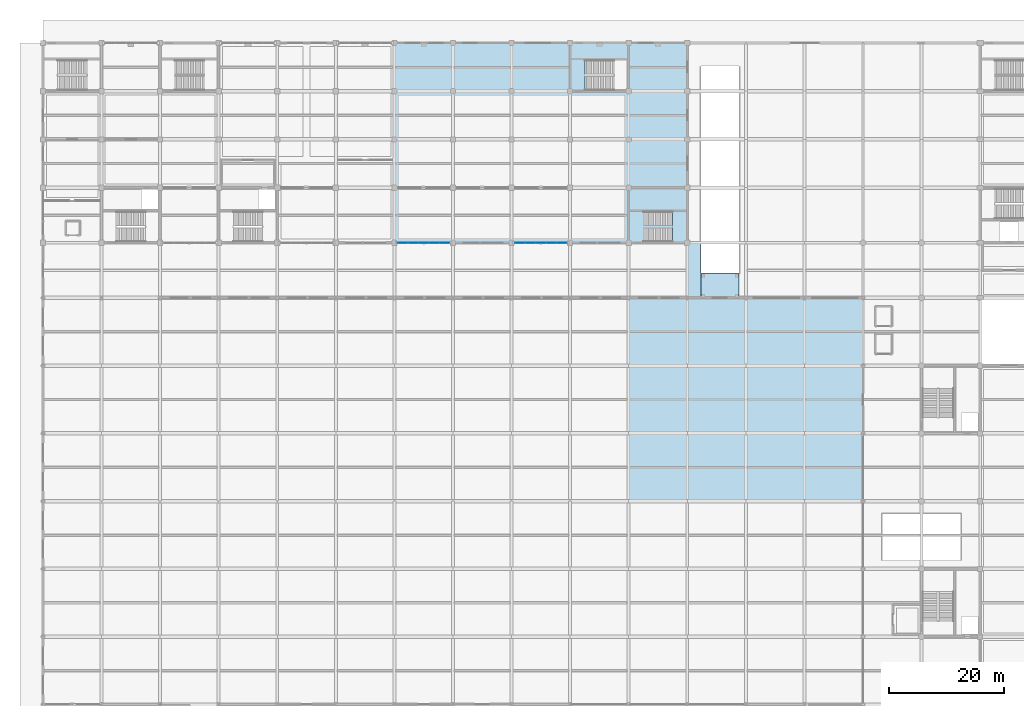
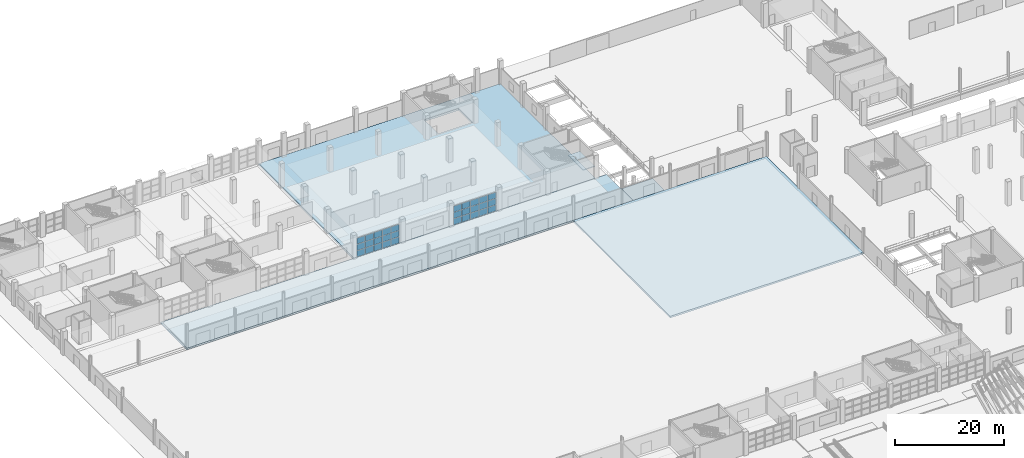
# One storey, part 76 of 124: 30 plates, 5 slabs, 3 elements without a shape of their own.
"""IFC4 building model written with IfcOpenShell, lengths in metres."""

from ifc_helpers import new_model, si_unit, direction, frame, origin, origin_2d, place, context, subcontext, project, spatial, polyline, rectangle, outline, extrude, material, layer, layer_set, type_object, element, aggregate, save


model = new_model("IFC4")

# Units and contexts
model_context = context("Model", 3, precision=1e-05, world=origin(), true_north=direction((0.0, 1.0)))
body_context = subcontext(model_context, "Body", "Model", "MODEL_VIEW")
ifc_project = project(units=[si_unit("LENGTHUNIT", "METRE"), si_unit("AREAUNIT", "SQUARE_METRE"), si_unit("VOLUMEUNIT", "CUBIC_METRE"), si_unit("PLANEANGLEUNIT", "RADIAN"), si_unit("MASSUNIT", "GRAM", prefix="KILO")], contexts=[model_context])

# Site, building, storey
site_placement = place(None, origin())
site = spatial("IfcSite", under=ifc_project, at=site_placement, CompositionType="ELEMENT")
building_placement = place(site_placement, origin())
building = spatial("IfcBuilding", under=site, at=building_placement, Name="Brelvane Convention Centre", CompositionType="ELEMENT")
storey_placement = place(building_placement, origin())
storey = spatial("IfcBuildingStorey", under=building, at=storey_placement, Name="L00", CompositionType="ELEMENT", Elevation=0.0)

# Curtain wall, plates
ifc_material_1 = material(Name="Anodised Aluminium Alloy 6063-T6", Category="aluminium")
curtain_wall_type = type_object("IfcCurtainWallType", Name="Curtain Wall CW-COURT", PredefinedType="USERDEFINED", material=ifc_material_1)
curtain_wall_1_placement = place(storey_placement, origin())
curtain_wall_1 = element("IfcCurtainWall", 1, at=curtain_wall_1_placement, inside=storey, type_object=curtain_wall_type, Name="Curtain Wall CW-COURT L00-V4S-07", ObjectType="UNITISED", PredefinedType="USERDEFINED")
ifc_material_2 = material(Name="Double Glazed Low-E Laminated Unit")
ifc_layer_1 = layer(ifc_material_2, 0.031982421875)
ifc_layer_set_1 = layer_set([ifc_layer_1], Name="Double Glazed Low-E Laminated Unit")
plate_type = type_object("IfcPlateType", Name="Curtain Panel CW-PG1", PredefinedType="CURTAIN_PANEL", material=ifc_layer_set_1)
plate_1_placement = place(storey_placement, frame((62.6787109375, 109.199951171875, 0.06982421875), z_axis=(0.0, 0.0, 1.0), x_axis=(1.0, 0.0, 0.0)))
plate_1 = element("IfcPlate", 2, at=plate_1_placement, type_object=plate_type, Name="CW-COURT panel 1.1", PredefinedType="CURTAIN_PANEL", context=body_context, shape_type="SweptSolid", body=[
    extrude(rectangle(XDim=1.70751953125, YDim=0.031982421875, at=origin_2d()), origin(), (0.0, 0.0, 1.0), 1.328369140625),
])
plate_2_placement = place(storey_placement, frame((62.6787109375, 109.199951171875, 1.46826171875), z_axis=(0.0, 0.0, 1.0), x_axis=(1.0, 0.0, 0.0)))
plate_2 = element("IfcPlate", 3, at=plate_2_placement, type_object=plate_type, Name="CW-COURT panel 1.2", PredefinedType="CURTAIN_PANEL", context=body_context, shape_type="SweptSolid", body=[
    extrude(rectangle(XDim=1.70751953125, YDim=0.031982421875, at=origin_2d()), origin(), (0.0, 0.0, 1.0), 1.36328125),
])
plate_3_placement = place(storey_placement, frame((62.6787109375, 109.199951171875, 2.90185546875), z_axis=(0.0, 0.0, 1.0), x_axis=(1.0, 0.0, 0.0)))
plate_3 = element("IfcPlate", 4, at=plate_3_placement, type_object=plate_type, Name="CW-COURT panel 1.3", PredefinedType="CURTAIN_PANEL", context=body_context, shape_type="SweptSolid", body=[
    extrude(rectangle(XDim=1.70751953125, YDim=0.031982421875, at=origin_2d()), origin(), (0.0, 0.0, 1.0), 1.328369140625),
])
plate_4_placement = place(storey_placement, frame((64.47998046875, 109.199951171875, 0.06982421875), z_axis=(0.0, 0.0, 1.0), x_axis=(1.0, 0.0, 0.0)))
plate_4 = element("IfcPlate", 5, at=plate_4_placement, type_object=plate_type, Name="CW-COURT panel 2.1", PredefinedType="CURTAIN_PANEL", context=body_context, shape_type="SweptSolid", body=[
    extrude(rectangle(XDim=1.7451171875, YDim=0.031982421875, at=origin_2d()), origin(), (0.0, 0.0, 1.0), 1.328369140625),
])
plate_5_placement = place(storey_placement, frame((64.47998046875, 109.199951171875, 1.46826171875), z_axis=(0.0, 0.0, 1.0), x_axis=(1.0, 0.0, 0.0)))
plate_5 = element("IfcPlate", 6, at=plate_5_placement, type_object=plate_type, Name="CW-COURT panel 2.2", PredefinedType="CURTAIN_PANEL", context=body_context, shape_type="SweptSolid", body=[
    extrude(rectangle(XDim=1.7451171875, YDim=0.031982421875, at=origin_2d()), origin(), (0.0, 0.0, 1.0), 1.36328125),
])
plate_6_placement = place(storey_placement, frame((64.47998046875, 109.199951171875, 2.90185546875), z_axis=(0.0, 0.0, 1.0), x_axis=(1.0, 0.0, 0.0)))
plate_6 = element("IfcPlate", 7, at=plate_6_placement, type_object=plate_type, Name="CW-COURT panel 2.3", PredefinedType="CURTAIN_PANEL", context=body_context, shape_type="SweptSolid", body=[
    extrude(rectangle(XDim=1.7451171875, YDim=0.031982421875, at=origin_2d()), origin(), (0.0, 0.0, 1.0), 1.328369140625),
])
plate_7_placement = place(storey_placement, frame((66.300048828125, 109.199951171875, 0.06982421875), z_axis=(0.0, 0.0, 1.0), x_axis=(1.0, 0.0, 0.0)))
plate_7 = element("IfcPlate", 8, at=plate_7_placement, type_object=plate_type, Name="CW-COURT panel 3.1", PredefinedType="CURTAIN_PANEL", context=body_context, shape_type="SweptSolid", body=[
    extrude(rectangle(XDim=1.7451171875, YDim=0.031982421875, at=origin_2d()), origin(), (0.0, 0.0, 1.0), 1.328369140625),
])
plate_8_placement = place(storey_placement, frame((66.300048828125, 109.199951171875, 1.46826171875), z_axis=(0.0, 0.0, 1.0), x_axis=(1.0, 0.0, 0.0)))
plate_8 = element("IfcPlate", 9, at=plate_8_placement, type_object=plate_type, Name="CW-COURT panel 3.2", PredefinedType="CURTAIN_PANEL", context=body_context, shape_type="SweptSolid", body=[
    extrude(rectangle(XDim=1.7451171875, YDim=0.031982421875, at=origin_2d()), origin(), (0.0, 0.0, 1.0), 1.36328125),
])
plate_9_placement = place(storey_placement, frame((66.300048828125, 109.199951171875, 2.90185546875), z_axis=(0.0, 0.0, 1.0), x_axis=(1.0, 0.0, 0.0)))
plate_9 = element("IfcPlate", 10, at=plate_9_placement, type_object=plate_type, Name="CW-COURT panel 3.3", PredefinedType="CURTAIN_PANEL", context=body_context, shape_type="SweptSolid", body=[
    extrude(rectangle(XDim=1.7451171875, YDim=0.031982421875, at=origin_2d()), origin(), (0.0, 0.0, 1.0), 1.328369140625),
])
plate_10_placement = place(storey_placement, frame((68.1201171875, 109.199951171875, 0.06982421875), z_axis=(0.0, 0.0, 1.0), x_axis=(1.0, 0.0, 0.0)))
plate_10 = element("IfcPlate", 11, at=plate_10_placement, type_object=plate_type, Name="CW-COURT panel 4.1", PredefinedType="CURTAIN_PANEL", context=body_context, shape_type="SweptSolid", body=[
    extrude(rectangle(XDim=1.7451171875, YDim=0.031982421875, at=origin_2d()), origin(), (0.0, 0.0, 1.0), 1.328369140625),
])
plate_11_placement = place(storey_placement, frame((68.1201171875, 109.199951171875, 1.46826171875), z_axis=(0.0, 0.0, 1.0), x_axis=(1.0, 0.0, 0.0)))
plate_11 = element("IfcPlate", 12, at=plate_11_placement, type_object=plate_type, Name="CW-COURT panel 4.2", PredefinedType="CURTAIN_PANEL", context=body_context, shape_type="SweptSolid", body=[
    extrude(rectangle(XDim=1.7451171875, YDim=0.031982421875, at=origin_2d()), origin(), (0.0, 0.0, 1.0), 1.36328125),
])
plate_12_placement = place(storey_placement, frame((68.1201171875, 109.199951171875, 2.90185546875), z_axis=(0.0, 0.0, 1.0), x_axis=(1.0, 0.0, 0.0)))
plate_12 = element("IfcPlate", 13, at=plate_12_placement, type_object=plate_type, Name="CW-COURT panel 4.3", PredefinedType="CURTAIN_PANEL", context=body_context, shape_type="SweptSolid", body=[
    extrude(rectangle(XDim=1.7451171875, YDim=0.031982421875, at=origin_2d()), origin(), (0.0, 0.0, 1.0), 1.328369140625),
])
plate_13_placement = place(storey_placement, frame((69.921142578125, 109.199951171875, 0.06982421875), z_axis=(0.0, 0.0, 1.0), x_axis=(1.0, 0.0, 0.0)))
plate_13 = element("IfcPlate", 14, at=plate_13_placement, type_object=plate_type, Name="CW-COURT panel 5.1", PredefinedType="CURTAIN_PANEL", context=body_context, shape_type="SweptSolid", body=[
    extrude(rectangle(XDim=1.70751953125, YDim=0.031982421875, at=origin_2d()), origin(), (0.0, 0.0, 1.0), 1.328369140625),
])
plate_14_placement = place(storey_placement, frame((69.921142578125, 109.199951171875, 1.46826171875), z_axis=(0.0, 0.0, 1.0), x_axis=(1.0, 0.0, 0.0)))
plate_14 = element("IfcPlate", 15, at=plate_14_placement, type_object=plate_type, Name="CW-COURT panel 5.2", PredefinedType="CURTAIN_PANEL", context=body_context, shape_type="SweptSolid", body=[
    extrude(rectangle(XDim=1.70751953125, YDim=0.031982421875, at=origin_2d()), origin(), (0.0, 0.0, 1.0), 1.36328125),
])
plate_15_placement = place(storey_placement, frame((69.921142578125, 109.199951171875, 2.90185546875), z_axis=(0.0, 0.0, 1.0), x_axis=(1.0, 0.0, 0.0)))
plate_15 = element("IfcPlate", 16, at=plate_15_placement, type_object=plate_type, Name="CW-COURT panel 5.3", PredefinedType="CURTAIN_PANEL", context=body_context, shape_type="SweptSolid", body=[
    extrude(rectangle(XDim=1.70751953125, YDim=0.031982421875, at=origin_2d()), origin(), (0.0, 0.0, 1.0), 1.328369140625),
])
aggregate(curtain_wall_1, [plate_1, plate_2, plate_3, plate_4, plate_5, plate_6, plate_7, plate_8, plate_9, plate_10, plate_11, plate_12, plate_13, plate_14, plate_15])

curtain_wall_2_placement = place(storey_placement, origin())
curtain_wall_2 = element("IfcCurtainWall", 17, at=curtain_wall_2_placement, inside=storey, type_object=curtain_wall_type, Name="Curtain Wall CW-COURT L00-V4S-09", ObjectType="UNITISED", PredefinedType="USERDEFINED")
plate_16_placement = place(storey_placement, frame((83.078857421875, 109.199951171875, 0.06982421875), z_axis=(0.0, 0.0, 1.0), x_axis=(1.0, 0.0, 0.0)))
plate_16 = element("IfcPlate", 18, at=plate_16_placement, type_object=plate_type, Name="CW-COURT panel 1.1", PredefinedType="CURTAIN_PANEL", context=body_context, shape_type="SweptSolid", body=[
    extrude(rectangle(XDim=1.70751953125, YDim=0.031982421875, at=origin_2d()), origin(), (0.0, 0.0, 1.0), 1.328369140625),
])
plate_17_placement = place(storey_placement, frame((83.078857421875, 109.199951171875, 1.46826171875), z_axis=(0.0, 0.0, 1.0), x_axis=(1.0, 0.0, 0.0)))
plate_17 = element("IfcPlate", 19, at=plate_17_placement, type_object=plate_type, Name="CW-COURT panel 1.2", PredefinedType="CURTAIN_PANEL", context=body_context, shape_type="SweptSolid", body=[
    extrude(rectangle(XDim=1.70751953125, YDim=0.031982421875, at=origin_2d()), origin(), (0.0, 0.0, 1.0), 1.36328125),
])
plate_18_placement = place(storey_placement, frame((83.078857421875, 109.199951171875, 2.90185546875), z_axis=(0.0, 0.0, 1.0), x_axis=(1.0, 0.0, 0.0)))
plate_18 = element("IfcPlate", 20, at=plate_18_placement, type_object=plate_type, Name="CW-COURT panel 1.3", PredefinedType="CURTAIN_PANEL", context=body_context, shape_type="SweptSolid", body=[
    extrude(rectangle(XDim=1.70751953125, YDim=0.031982421875, at=origin_2d()), origin(), (0.0, 0.0, 1.0), 1.328369140625),
])
plate_19_placement = place(storey_placement, frame((84.8798828125, 109.199951171875, 0.06982421875), z_axis=(0.0, 0.0, 1.0), x_axis=(1.0, 0.0, 0.0)))
plate_19 = element("IfcPlate", 21, at=plate_19_placement, type_object=plate_type, Name="CW-COURT panel 2.1", PredefinedType="CURTAIN_PANEL", context=body_context, shape_type="SweptSolid", body=[
    extrude(rectangle(XDim=1.7451171875, YDim=0.031982421875, at=origin_2d()), origin(), (0.0, 0.0, 1.0), 1.328369140625),
])
plate_20_placement = place(storey_placement, frame((84.8798828125, 109.199951171875, 1.46826171875), z_axis=(0.0, 0.0, 1.0), x_axis=(1.0, 0.0, 0.0)))
plate_20 = element("IfcPlate", 22, at=plate_20_placement, type_object=plate_type, Name="CW-COURT panel 2.2", PredefinedType="CURTAIN_PANEL", context=body_context, shape_type="SweptSolid", body=[
    extrude(rectangle(XDim=1.7451171875, YDim=0.031982421875, at=origin_2d()), origin(), (0.0, 0.0, 1.0), 1.36328125),
])
plate_21_placement = place(storey_placement, frame((84.8798828125, 109.199951171875, 2.90185546875), z_axis=(0.0, 0.0, 1.0), x_axis=(1.0, 0.0, 0.0)))
plate_21 = element("IfcPlate", 23, at=plate_21_placement, type_object=plate_type, Name="CW-COURT panel 2.3", PredefinedType="CURTAIN_PANEL", context=body_context, shape_type="SweptSolid", body=[
    extrude(rectangle(XDim=1.7451171875, YDim=0.031982421875, at=origin_2d()), origin(), (0.0, 0.0, 1.0), 1.328369140625),
])
plate_22_placement = place(storey_placement, frame((86.699951171875, 109.199951171875, 0.06982421875), z_axis=(0.0, 0.0, 1.0), x_axis=(1.0, 0.0, 0.0)))
plate_22 = element("IfcPlate", 24, at=plate_22_placement, type_object=plate_type, Name="CW-COURT panel 3.1", PredefinedType="CURTAIN_PANEL", context=body_context, shape_type="SweptSolid", body=[
    extrude(rectangle(XDim=1.7451171875, YDim=0.031982421875, at=origin_2d()), origin(), (0.0, 0.0, 1.0), 1.328369140625),
])
plate_23_placement = place(storey_placement, frame((86.699951171875, 109.199951171875, 1.46826171875), z_axis=(0.0, 0.0, 1.0), x_axis=(1.0, 0.0, 0.0)))
plate_23 = element("IfcPlate", 25, at=plate_23_placement, type_object=plate_type, Name="CW-COURT panel 3.2", PredefinedType="CURTAIN_PANEL", context=body_context, shape_type="SweptSolid", body=[
    extrude(rectangle(XDim=1.7451171875, YDim=0.031982421875, at=origin_2d()), origin(), (0.0, 0.0, 1.0), 1.36328125),
])
plate_24_placement = place(storey_placement, frame((86.699951171875, 109.199951171875, 2.90185546875), z_axis=(0.0, 0.0, 1.0), x_axis=(1.0, 0.0, 0.0)))
plate_24 = element("IfcPlate", 26, at=plate_24_placement, type_object=plate_type, Name="CW-COURT panel 3.3", PredefinedType="CURTAIN_PANEL", context=body_context, shape_type="SweptSolid", body=[
    extrude(rectangle(XDim=1.7451171875, YDim=0.031982421875, at=origin_2d()), origin(), (0.0, 0.0, 1.0), 1.328369140625),
])
plate_25_placement = place(storey_placement, frame((88.52001953125, 109.199951171875, 0.06982421875), z_axis=(0.0, 0.0, 1.0), x_axis=(1.0, 0.0, 0.0)))
plate_25 = element("IfcPlate", 27, at=plate_25_placement, type_object=plate_type, Name="CW-COURT panel 4.1", PredefinedType="CURTAIN_PANEL", context=body_context, shape_type="SweptSolid", body=[
    extrude(rectangle(XDim=1.7451171875, YDim=0.031982421875, at=origin_2d()), origin(), (0.0, 0.0, 1.0), 1.328369140625),
])
plate_26_placement = place(storey_placement, frame((88.52001953125, 109.199951171875, 1.46826171875), z_axis=(0.0, 0.0, 1.0), x_axis=(1.0, 0.0, 0.0)))
plate_26 = element("IfcPlate", 28, at=plate_26_placement, type_object=plate_type, Name="CW-COURT panel 4.2", PredefinedType="CURTAIN_PANEL", context=body_context, shape_type="SweptSolid", body=[
    extrude(rectangle(XDim=1.7451171875, YDim=0.031982421875, at=origin_2d()), origin(), (0.0, 0.0, 1.0), 1.36328125),
])
plate_27_placement = place(storey_placement, frame((88.52001953125, 109.199951171875, 2.90185546875), z_axis=(0.0, 0.0, 1.0), x_axis=(1.0, 0.0, 0.0)))
plate_27 = element("IfcPlate", 29, at=plate_27_placement, type_object=plate_type, Name="CW-COURT panel 4.3", PredefinedType="CURTAIN_PANEL", context=body_context, shape_type="SweptSolid", body=[
    extrude(rectangle(XDim=1.7451171875, YDim=0.031982421875, at=origin_2d()), origin(), (0.0, 0.0, 1.0), 1.328369140625),
])
plate_28_placement = place(storey_placement, frame((90.3212890625, 109.199951171875, 0.06982421875), z_axis=(0.0, 0.0, 1.0), x_axis=(1.0, 0.0, 0.0)))
plate_28 = element("IfcPlate", 30, at=plate_28_placement, type_object=plate_type, Name="CW-COURT panel 5.1", PredefinedType="CURTAIN_PANEL", context=body_context, shape_type="SweptSolid", body=[
    extrude(rectangle(XDim=1.70751953125, YDim=0.031982421875, at=origin_2d()), origin(), (0.0, 0.0, 1.0), 1.328369140625),
])
plate_29_placement = place(storey_placement, frame((90.3212890625, 109.199951171875, 1.46826171875), z_axis=(0.0, 0.0, 1.0), x_axis=(1.0, 0.0, 0.0)))
plate_29 = element("IfcPlate", 31, at=plate_29_placement, type_object=plate_type, Name="CW-COURT panel 5.2", PredefinedType="CURTAIN_PANEL", context=body_context, shape_type="SweptSolid", body=[
    extrude(rectangle(XDim=1.70751953125, YDim=0.031982421875, at=origin_2d()), origin(), (0.0, 0.0, 1.0), 1.36328125),
])
plate_30_placement = place(storey_placement, frame((90.3212890625, 109.199951171875, 2.90185546875), z_axis=(0.0, 0.0, 1.0), x_axis=(1.0, 0.0, 0.0)))
plate_30 = element("IfcPlate", 32, at=plate_30_placement, type_object=plate_type, Name="CW-COURT panel 5.3", PredefinedType="CURTAIN_PANEL", context=body_context, shape_type="SweptSolid", body=[
    extrude(rectangle(XDim=1.70751953125, YDim=0.031982421875, at=origin_2d()), origin(), (0.0, 0.0, 1.0), 1.328369140625),
])
aggregate(curtain_wall_2, [plate_16, plate_17, plate_18, plate_19, plate_20, plate_21, plate_22, plate_23, plate_24, plate_25, plate_26, plate_27, plate_28, plate_29, plate_30])

# Stair, slab
ifc_material_3 = material(Name="Concrete M40", Category="concrete")
stair_type = type_object("IfcStairType", Name="Exit Stair ST-CORE", PredefinedType="HALF_TURN_STAIR", material=ifc_material_3)
stair_placement = place(storey_placement, origin())
stair = element("IfcStair", 33, at=stair_placement, inside=storey, type_object=stair_type, Name="Exit Stair ST-20 (L00 to L01)", PredefinedType="HALF_TURN_STAIR")
ifc_material_4 = material(Name="Concrete M40", Category="concrete")
ifc_layer_2 = layer(ifc_material_4, 0.199951171875)
ifc_layer_set_2 = layer_set([ifc_layer_2], Name="Concrete M40")
slab_type_1 = type_object("IfcSlabType", Name="Stair Landing SL-LND-200", PredefinedType="LANDING", material=ifc_layer_set_2)
slab_1_placement = place(storey_placement, frame((0.0, 0.0, 2.5)))
slab_1 = element("IfcSlab", 34, at=slab_1_placement, type_object=slab_type_1, Name="Stair ST-20 L00 Half Landing", PredefinedType="LANDING", context=body_context, shape_type="SweptSolid", body=[
    extrude(outline(polyline([(109.6201171875, 109.280029296875), (112.1201171875, 109.280029296875), (112.1201171875, 114.719970703125), (109.6201171875, 114.719970703125), (109.6201171875, 109.280029296875)])), origin(), (0.0, 0.0, 1.0), 0.199951171875),
])
aggregate(stair, [slab_1])

# Slabs
ifc_material_5 = material(Name="Concrete M40", Category="concrete")
ifc_layer_3 = layer(ifc_material_5, 0.3798828125)
ifc_layer_set_3 = layer_set([ifc_layer_3], Name="Concrete M40")
slab_type_2 = type_object("IfcSlabType", Name="Structural Slab SL-EXH-380", PredefinedType="FLOOR", material=ifc_layer_set_3)
slab_2_placement = place(storey_placement, frame((0.0, 0.0, -0.3798828125)))
element("IfcSlab", 35, at=slab_2_placement, inside=storey, type_object=slab_type_2, Name="L00 ExhHall Slab EH6", PredefinedType="FLOOR", context=body_context, shape_type="SweptSolid", body=[
    extrude(outline(polyline([(102.0, 64.199951171875), (142.800048828125, 64.199951171875), (142.800048828125, 99.60009765625), (102.0, 99.60009765625), (102.0, 64.199951171875)])), origin(), (0.0, 0.0, 1.0), 0.3798828125),
])
ifc_material_6 = material(Name="Concrete M40", Category="concrete")
ifc_layer_4 = layer(ifc_material_6, 0.39990234375)
ifc_layer_set_4 = layer_set([ifc_layer_4], Name="Concrete M40")
slab_type_3 = type_object("IfcSlabType", Name="Structural Slab SL-PLINTH-400", PredefinedType="BASESLAB", material=ifc_layer_set_4)
slab_3_placement = place(storey_placement, frame((0.0, 0.0, -0.39990234375)))
element("IfcSlab", 36, at=slab_3_placement, inside=storey, type_object=slab_type_3, Name="L00 Podium Slab COURT-S", PredefinedType="BASESLAB", context=body_context, shape_type="SweptSolid", body=[
    extrude(outline(polyline([(20.39990234375, 99.60009765625), (114.60009765625, 99.60009765625), (114.60009765625, 109.199951171875), (20.39990234375, 109.199951171875), (20.39990234375, 99.60009765625)])), origin(), (0.0, 0.0, 1.0), 0.39990234375),
])
slab_4_placement = place(storey_placement, frame((0.0, 0.0, -0.39990234375)))
element("IfcSlab", 37, at=slab_4_placement, inside=storey, type_object=slab_type_3, Name="L00 Podium Slab VR1-S", PredefinedType="BASESLAB", context=body_context, shape_type="SweptSolid", body=[
    extrude(outline(polyline([(114.60009765625, 99.60009765625), (121.199951171875, 99.60009765625), (121.199951171875, 103.89990234375), (114.60009765625, 103.89990234375), (114.60009765625, 99.60009765625)])), origin(), (0.0, 0.0, 1.0), 0.39990234375),
])
ifc_material_7 = material(Name="Concrete M40", Category="concrete")
ifc_layer_5 = layer(ifc_material_7, 0.429931640625)
ifc_layer_set_5 = layer_set([ifc_layer_5], Name="Concrete M40")
slab_type_4 = type_object("IfcSlabType", Name="Structural Slab SL-POD-430", PredefinedType="FLOOR", material=ifc_layer_set_5)
slab_5_placement = place(storey_placement, frame((0.0, 0.0, -0.429931640625)))
element("IfcSlab", 38, at=slab_5_placement, inside=storey, type_object=slab_type_4, Name="L00 PodMeetE Slab MEET-E", PredefinedType="FLOOR", context=body_context, shape_type="SweptSolid", body=[
    extrude(outline(polyline([(61.199951171875, 109.199951171875), (112.199951171875, 109.199951171875), (112.199951171875, 144.0), (61.199951171875, 144.0), (61.199951171875, 109.199951171875)]), holes=[polyline([(94.39990234375, 135.85009765625), (101.64990234375, 135.85009765625), (101.64990234375, 140.949951171875), (94.39990234375, 140.949951171875), (94.39990234375, 135.85009765625)])]), origin(), (0.0, 0.0, 1.0), 0.429931640625),
])

save(model, "model.ifc")
